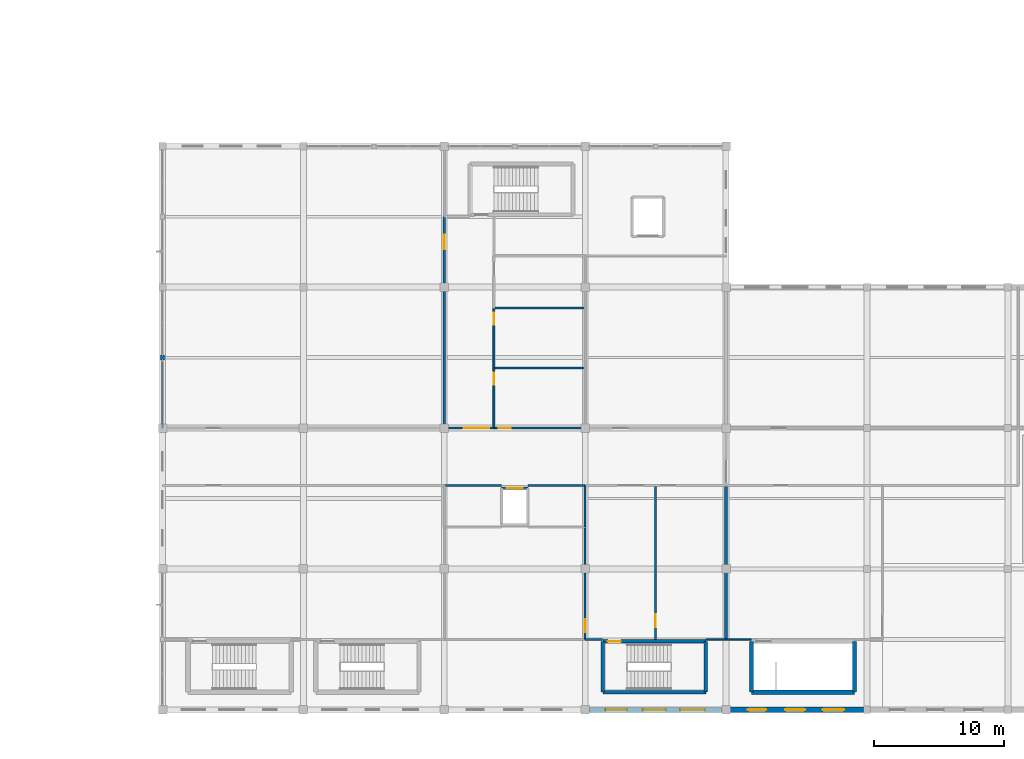
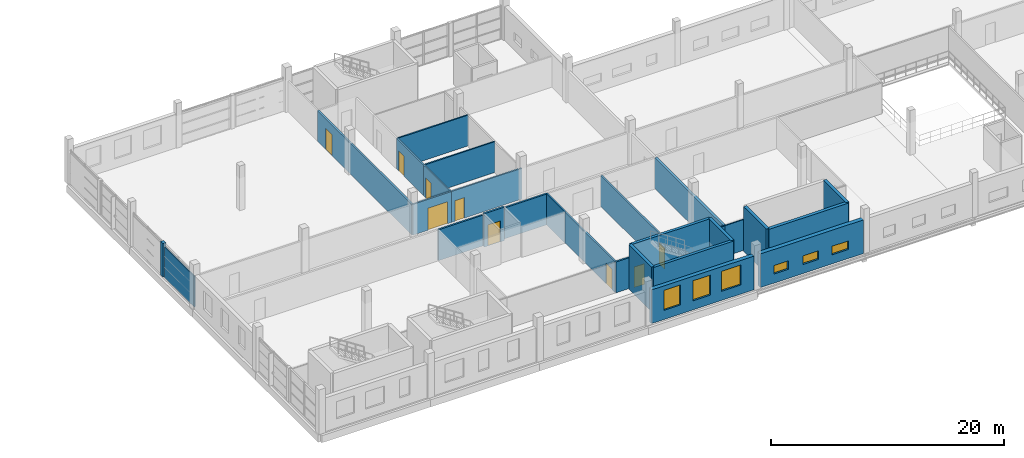
# One storey, part 15 of 24: 28 walls, 9 doors, 6 windows, 15 openings.
"""IFC4 building model written with IfcOpenShell, lengths in metres."""

from ifc_helpers import new_model, si_unit, direction, frame, frame_2d, origin, place, context, subcontext, project, spatial, rectangle, extrude, material, layer, layer_set, type_object, element, fill, save


model = new_model("IFC4")

# Units and contexts
model_context = context("Model", 3, precision=1e-05, world=origin(), true_north=direction((0.0, 1.0)))
body_context = subcontext(model_context, "Body", "Model", "MODEL_VIEW")
ifc_project = project(units=[si_unit("LENGTHUNIT", "METRE"), si_unit("AREAUNIT", "SQUARE_METRE"), si_unit("VOLUMEUNIT", "CUBIC_METRE"), si_unit("PLANEANGLEUNIT", "RADIAN"), si_unit("MASSUNIT", "GRAM", prefix="KILO")], contexts=[model_context])

# Site, building, storey
site_placement = place(None, origin())
site = spatial("IfcSite", under=ifc_project, at=site_placement, CompositionType="ELEMENT")
building_placement = place(site_placement, origin())
building = spatial("IfcBuilding", under=site, at=building_placement, Name="Zwinboog Wholesale Market", CompositionType="ELEMENT")
storey_placement = place(building_placement, frame((0.0, 0.0, 10.080078125)))
storey = spatial("IfcBuildingStorey", under=building, at=storey_placement, Name="L02", CompositionType="ELEMENT", Elevation=10.080078125)

# Wall, openings, windows
ifc_material_1 = material(Name="Precast concrete C45/55", Category="concrete")
ifc_layer_1 = layer(ifc_material_1, 0.389892578125)
ifc_layer_set_1 = layer_set([ifc_layer_1], Name="Precast concrete C45/55")
wall_type_1 = type_object("IfcWallType", Name="WT-EW-390", PredefinedType="STANDARD", material=ifc_layer_set_1)
wall_1_placement = place(storey_placement, frame((162.320068359375, 0.0, 0.0), z_axis=(0.0, 0.0, 1.0), x_axis=(1.0, 0.0, 0.0)))
wall_1 = element("IfcWall", 1, at=wall_1_placement, inside=storey, type_object=wall_type_1, Name="EW-02 (WL-EW-L02-201)", PredefinedType="STANDARD", context=body_context, shape_type="SweptSolid", body=[
    extrude(rectangle(XDim=10.159912109375, YDim=0.389892578125, at=frame_2d((5.080078125, 0.0))), origin(), (0.0, 0.0, 1.0), 3.530029296875),
])
opening_1_placement = place(wall_1_placement, frame((1.22509765625, 0.0, 0.949951171875)))
opening_1 = element("IfcOpeningElement", 2, at=opening_1_placement, cuts=wall_1, Name="Opening WN-70", PredefinedType="OPENING", context=body_context, shape_type="SweptSolid", body=[
    extrude(rectangle(XDim=1.64990234375, YDim=2.10009765625, at=frame_2d((0.824951171875, 1.050048828125))), frame((0.0, 0.204833984375, 0.0), z_axis=(0.0, -1.0, 0.0), x_axis=(1.0, 0.0, 0.0)), (0.0, 0.0, 1.0), 0.409912109375),
])
opening_2_placement = place(wall_1_placement, frame((4.094970703125, 0.0, 0.949951171875)))
opening_2 = element("IfcOpeningElement", 3, at=opening_2_placement, cuts=wall_1, Name="Opening WN-71", PredefinedType="OPENING", context=body_context, shape_type="SweptSolid", body=[
    extrude(rectangle(XDim=1.77001953125, YDim=2.10009765625, at=frame_2d((0.885009765625, 1.050048828125))), frame((0.0, 0.204833984375, 0.0), z_axis=(0.0, -1.0, 0.0), x_axis=(1.0, 0.0, 0.0)), (0.0, 0.0, 1.0), 0.409912109375),
])
opening_3_placement = place(wall_1_placement, frame((6.965087890625, 0.0, 0.949951171875)))
opening_3 = element("IfcOpeningElement", 4, at=opening_3_placement, cuts=wall_1, Name="Opening WN-72", PredefinedType="OPENING", context=body_context, shape_type="SweptSolid", body=[
    extrude(rectangle(XDim=1.889892578125, YDim=2.10009765625, at=frame_2d((0.94482421875, 1.050048828125))), frame((0.0, 0.204833984375, 0.0), z_axis=(0.0, -1.0, 0.0), x_axis=(1.0, 0.0, 0.0)), (0.0, 0.0, 1.0), 0.409912109375),
])
ifc_material_2 = material(Name="Thermally broken aluminium low-e window", Category="aluminium")
window_type_1 = type_object("IfcWindowType", Name="WNT-70", PartitioningType="SINGLE_PANEL", PredefinedType="WINDOW", material=ifc_material_2)
window_1_placement = place(opening_1_placement, frame((1.64990234375, 0.0, 0.0), z_axis=(0.0, 0.0, 1.0), x_axis=(-1.0, 0.0, 0.0)))
window_1 = element("IfcWindow", 5, at=window_1_placement, inside=storey, type_object=window_type_1, Name="WN-70 (WIN-L02-0214)", OverallHeight=2.10009765625, OverallWidth=1.64990234375, PartitioningType="SINGLE_PANEL", PredefinedType="WINDOW", context=body_context, shape_type="SweptSolid", body=[
    extrude(rectangle(XDim=1.64990234375, YDim=2.10009765625, at=frame_2d((0.824951171875, 1.050048828125))), frame((0.0, 0.030029296875, 0.0), z_axis=(0.0, -1.0, 0.0), x_axis=(1.0, 0.0, 0.0)), (0.0, 0.0, 1.0), 0.06005859375),
])
fill(opening_1, window_1)
window_type_2 = type_object("IfcWindowType", Name="WNT-71", PartitioningType="SINGLE_PANEL", PredefinedType="WINDOW", material=ifc_material_2)
window_2_placement = place(opening_2_placement, frame((1.77001953125, 0.0, 0.0), z_axis=(0.0, 0.0, 1.0), x_axis=(-1.0, 0.0, 0.0)))
window_2 = element("IfcWindow", 6, at=window_2_placement, inside=storey, type_object=window_type_2, Name="WN-71 (WIN-L02-0215)", OverallHeight=2.10009765625, OverallWidth=1.77001953125, PartitioningType="SINGLE_PANEL", PredefinedType="WINDOW", context=body_context, shape_type="SweptSolid", body=[
    extrude(rectangle(XDim=1.77001953125, YDim=2.10009765625, at=frame_2d((0.885009765625, 1.050048828125))), frame((0.0, 0.030029296875, 0.0), z_axis=(0.0, -1.0, 0.0), x_axis=(1.0, 0.0, 0.0)), (0.0, 0.0, 1.0), 0.06005859375),
])
fill(opening_2, window_2)
window_type_3 = type_object("IfcWindowType", Name="WNT-72", PartitioningType="SINGLE_PANEL", PredefinedType="WINDOW", material=ifc_material_2)
window_3_placement = place(opening_3_placement, frame((1.889892578125, 0.0, 0.0), z_axis=(0.0, 0.0, 1.0), x_axis=(-1.0, 0.0, 0.0)))
window_3 = element("IfcWindow", 7, at=window_3_placement, inside=storey, type_object=window_type_3, Name="WN-72 (WIN-L02-0216)", OverallHeight=2.10009765625, OverallWidth=1.889892578125, PartitioningType="SINGLE_PANEL", PredefinedType="WINDOW", context=body_context, shape_type="SweptSolid", body=[
    extrude(rectangle(XDim=1.889892578125, YDim=2.10009765625, at=frame_2d((0.94482421875, 1.050048828125))), frame((0.0, 0.030029296875, 0.0), z_axis=(0.0, -1.0, 0.0), x_axis=(1.0, 0.0, 0.0)), (0.0, 0.0, 1.0), 0.06005859375),
])
fill(opening_3, window_3)

ifc_layer_2 = layer(ifc_material_1, 0.409912109375)
ifc_layer_set_2 = layer_set([ifc_layer_2], Name="Precast concrete C45/55")
wall_type_2 = type_object("IfcWallType", Name="WT-EW-410", PredefinedType="STANDARD", material=ifc_layer_set_2)
wall_2_placement = place(storey_placement, frame((173.1201171875, 0.0, 0.0), z_axis=(0.0, 0.0, 1.0), x_axis=(1.0, 0.0, 0.0)))
wall_2 = element("IfcWall", 8, at=wall_2_placement, inside=storey, type_object=wall_type_2, Name="EW-03 (WL-EW-L02-204)", PredefinedType="STANDARD", context=body_context, shape_type="SweptSolid", body=[
    extrude(rectangle(XDim=10.2099609375, YDim=0.409912109375, at=frame_2d((5.10498046875, 0.0))), origin(), (0.0, 0.0, 1.0), 3.530029296875),
])
opening_4_placement = place(wall_2_placement, frame((1.344970703125, 0.0, 0.949951171875)))
opening_4 = element("IfcOpeningElement", 9, at=opening_4_placement, cuts=wall_2, Name="Opening WN-04", PredefinedType="OPENING", context=body_context, shape_type="SweptSolid", body=[
    extrude(rectangle(XDim=1.409912109375, YDim=0.89990234375, at=frame_2d((0.705078125, 0.449951171875))), frame((0.0, 0.21484375, 0.0), z_axis=(0.0, -1.0, 0.0), x_axis=(1.0, 0.0, 0.0)), (0.0, 0.0, 1.0), 0.429931640625),
])
opening_5_placement = place(wall_2_placement, frame((4.215087890625, 0.0, 0.949951171875)))
opening_5 = element("IfcOpeningElement", 10, at=opening_5_placement, cuts=wall_2, Name="Opening WN-05", PredefinedType="OPENING", context=body_context, shape_type="SweptSolid", body=[
    extrude(rectangle(XDim=1.530029296875, YDim=0.89990234375, at=frame_2d((0.76513671875, 0.449951171875))), frame((0.0, 0.21484375, 0.0), z_axis=(0.0, -1.0, 0.0), x_axis=(1.0, 0.0, 0.0)), (0.0, 0.0, 1.0), 0.429931640625),
])
opening_6_placement = place(wall_2_placement, frame((7.0849609375, 0.0, 0.949951171875)))
opening_6 = element("IfcOpeningElement", 11, at=opening_6_placement, cuts=wall_2, Name="Opening WN-06", PredefinedType="OPENING", context=body_context, shape_type="SweptSolid", body=[
    extrude(rectangle(XDim=1.64990234375, YDim=0.89990234375, at=frame_2d((0.824951171875, 0.449951171875))), frame((0.0, 0.21484375, 0.0), z_axis=(0.0, -1.0, 0.0), x_axis=(1.0, 0.0, 0.0)), (0.0, 0.0, 1.0), 0.429931640625),
])
window_type_4 = type_object("IfcWindowType", Name="WNT-04", PartitioningType="SINGLE_PANEL", PredefinedType="WINDOW", material=ifc_material_2)
window_4_placement = place(opening_4_placement, frame((1.409912109375, 0.0, 0.0), z_axis=(0.0, 0.0, 1.0), x_axis=(-1.0, 0.0, 0.0)))
window_4 = element("IfcWindow", 12, at=window_4_placement, inside=storey, type_object=window_type_4, Name="WN-04 (WIN-L02-0220)", OverallHeight=0.89990234375, OverallWidth=1.409912109375, PartitioningType="SINGLE_PANEL", PredefinedType="WINDOW", context=body_context, shape_type="SweptSolid", body=[
    extrude(rectangle(XDim=1.409912109375, YDim=0.89990234375, at=frame_2d((0.705078125, 0.449951171875))), frame((0.0, 0.030029296875, 0.0), z_axis=(0.0, -1.0, 0.0), x_axis=(1.0, 0.0, 0.0)), (0.0, 0.0, 1.0), 0.06005859375),
])
fill(opening_4, window_4)
window_type_5 = type_object("IfcWindowType", Name="WNT-05", PartitioningType="SINGLE_PANEL", PredefinedType="WINDOW", material=ifc_material_2)
window_5_placement = place(opening_5_placement, frame((1.530029296875, 0.0, 0.0), z_axis=(0.0, 0.0, 1.0), x_axis=(-1.0, 0.0, 0.0)))
window_5 = element("IfcWindow", 13, at=window_5_placement, inside=storey, type_object=window_type_5, Name="WN-05 (WIN-L02-0221)", OverallHeight=0.89990234375, OverallWidth=1.530029296875, PartitioningType="SINGLE_PANEL", PredefinedType="WINDOW", context=body_context, shape_type="SweptSolid", body=[
    extrude(rectangle(XDim=1.530029296875, YDim=0.89990234375, at=frame_2d((0.76513671875, 0.449951171875))), frame((0.0, 0.030029296875, 0.0), z_axis=(0.0, -1.0, 0.0), x_axis=(1.0, 0.0, 0.0)), (0.0, 0.0, 1.0), 0.06005859375),
])
fill(opening_5, window_5)
window_type_6 = type_object("IfcWindowType", Name="WNT-06", PartitioningType="SINGLE_PANEL", PredefinedType="WINDOW", material=ifc_material_2)
window_6_placement = place(opening_6_placement, frame((1.64990234375, 0.0, 0.0), z_axis=(0.0, 0.0, 1.0), x_axis=(-1.0, 0.0, 0.0)))
window_6 = element("IfcWindow", 14, at=window_6_placement, inside=storey, type_object=window_type_6, Name="WN-06 (WIN-L02-0222)", OverallHeight=0.89990234375, OverallWidth=1.64990234375, PartitioningType="SINGLE_PANEL", PredefinedType="WINDOW", context=body_context, shape_type="SweptSolid", body=[
    extrude(rectangle(XDim=1.64990234375, YDim=0.89990234375, at=frame_2d((0.824951171875, 0.449951171875))), frame((0.0, 0.030029296875, 0.0), z_axis=(0.0, -1.0, 0.0), x_axis=(1.0, 0.0, 0.0)), (0.0, 0.0, 1.0), 0.06005859375),
])
fill(opening_6, window_6)

# Walls
ifc_layer_3 = layer(ifc_material_1, 0.304931640625)
ifc_layer_set_3 = layer_set([ifc_layer_3], Name="Precast concrete C45/55")
wall_type_3 = type_object("IfcWallType", Name="WT-EW-305", PredefinedType="STANDARD", material=ifc_layer_set_3)
wall_3_placement = place(storey_placement, frame((129.60009765625, 26.800048828125, 0.0), z_axis=(0.0, 0.0, 1.0), x_axis=(0.0, 1.0, 0.0)))
element("IfcWall", 15, at=wall_3_placement, inside=storey, type_object=wall_type_3, Name="EW-07 (WL-PIER-L02-194)", PredefinedType="STANDARD", context=body_context, shape_type="SweptSolid", body=[
    extrude(rectangle(XDim=0.39990234375, YDim=0.304931640625, at=frame_2d((0.199951171875, 0.0))), origin(), (0.0, 0.0, 1.0), 3.530029296875),
])
ifc_material_3 = material(Name="Concrete C40/50", Category="concrete")
ifc_layer_4 = layer(ifc_material_3, 0.280029296875)
ifc_layer_set_4 = layer_set([ifc_layer_4], Name="Concrete C40/50")
wall_type_4 = type_object("IfcWallType", Name="WT-SW-280", PredefinedType="SHEAR", material=ifc_layer_set_4)
wall_4_placement = place(storey_placement, frame((163.35009765625, 1.35009765625, 0.0), z_axis=(0.0, 0.0, 1.0), x_axis=(1.0, 0.0, 0.0)))
element("IfcWall", 16, at=wall_4_placement, inside=storey, type_object=wall_type_4, Name="SW-01 (WL-SW-L02-105)", PredefinedType="SHEAR", context=body_context, shape_type="SweptSolid", body=[
    extrude(rectangle(XDim=7.89990234375, YDim=0.280029296875, at=frame_2d((3.949951171875, 0.0))), origin(), (0.0, 0.0, 1.0), 4.679931640625),
])

# Wall, opening, door
wall_5_placement = place(storey_placement, frame((163.35009765625, 5.25, 0.0), z_axis=(0.0, 0.0, 1.0), x_axis=(1.0, 0.0, 0.0)))
wall_5 = element("IfcWall", 17, at=wall_5_placement, inside=storey, type_object=wall_type_4, Name="SW-01 (WL-SW-L02-106)", PredefinedType="SHEAR", context=body_context, shape_type="SweptSolid", body=[
    extrude(rectangle(XDim=7.89990234375, YDim=0.280029296875, at=frame_2d((3.949951171875, 0.0))), origin(), (0.0, 0.0, 1.0), 4.679931640625),
])
opening_7_placement = place(wall_5_placement, frame((0.3798828125, 0.0, 0.0)))
opening_7 = element("IfcOpeningElement", 18, at=opening_7_placement, cuts=wall_5, Name="Opening FD-0027", PredefinedType="OPENING", context=body_context, shape_type="SweptSolid", body=[
    extrude(rectangle(XDim=1.0, YDim=2.14990234375, at=frame_2d((0.5, 1.074951171875))), frame((0.0, 0.14990234375, 0.0), z_axis=(0.0, -1.0, 0.0), x_axis=(1.0, 0.0, 0.0)), (0.0, 0.0, 1.0), 0.300048828125),
])
ifc_material_4 = material(Name="Timber and powder-coated steel door leaf", Category="steel")
door_type_1 = type_object("IfcDoorType", Name="IDT-FD-01", OperationType="NOTDEFINED", PredefinedType="DOOR", material=ifc_material_4)
door_1_placement = place(opening_7_placement, origin())
door_1 = element("IfcDoor", 19, at=door_1_placement, inside=storey, type_object=door_type_1, Name="Core Fire Door FD-0027", OperationType="SINGLE_SWING_RIGHT", OverallHeight=2.14990234375, OverallWidth=1.0, PredefinedType="DOOR", context=body_context, shape_type="SweptSolid", body=[
    extrude(rectangle(XDim=1.0, YDim=2.14990234375, at=frame_2d((0.5, 1.074951171875))), frame((0.0, 0.02490234375, 0.0), z_axis=(0.0, -1.0, 0.0), x_axis=(1.0, 0.0, 0.0)), (0.0, 0.0, 1.0), 0.050048828125),
])
fill(opening_7, door_1)

# Walls
for number, where, z_axis, x_axis, name in (
    (20, (163.35009765625, 1.35009765625, 0.0), (0.0, 0.0, 1.0), (0.0, 1.0, 0.0), "SW-01 (WL-SW-L02-107)"),
    (21, (171.25, 1.35009765625, 0.0), (0.0, 0.0, 1.0), (0.0, 1.0, 0.0), "SW-01 (WL-SW-L02-108)"),
):
    element("IfcWall", number, at=place(storey_placement, frame(where, z_axis=z_axis, x_axis=x_axis)), inside=storey, type_object=wall_type_4, Name=name, PredefinedType="SHEAR", context=body_context, shape_type="SweptSolid", body=[
        extrude(rectangle(XDim=3.89990234375, YDim=0.280029296875, at=frame_2d((1.949951171875, 0.0))), origin(), (0.0, 0.0, 1.0), 4.679931640625),
    ])
ifc_layer_5 = layer(ifc_material_3, 0.320068359375)
ifc_layer_set_5 = layer_set([ifc_layer_5], Name="Concrete C40/50")
wall_type_5 = type_object("IfcWallType", Name="WT-SW-320", PredefinedType="SHEAR", material=ifc_layer_set_5)
wall_6_placement = place(storey_placement, frame((174.75, 1.35009765625, 0.0), z_axis=(0.0, 0.0, 1.0), x_axis=(1.0, 0.0, 0.0)))
element("IfcWall", 22, at=wall_6_placement, inside=storey, type_object=wall_type_5, Name="SW-03 (WL-SW-L02-077)", PredefinedType="SHEAR", context=body_context, shape_type="SweptSolid", body=[
    extrude(rectangle(XDim=7.89990234375, YDim=0.320068359375, at=frame_2d((3.949951171875, 0.0))), origin(), (0.0, 0.0, 1.0), 4.679931640625),
])
for number, where, z_axis, x_axis, name in (
    (23, (174.75, 1.35009765625, 0.0), (0.0, 0.0, 1.0), (0.0, 1.0, 0.0), "SW-03 (WL-SW-L02-079)"),
    (24, (182.64990234375, 1.35009765625, 0.0), (0.0, 0.0, 1.0), (0.0, 1.0, 0.0), "SW-03 (WL-SW-L02-080)"),
):
    element("IfcWall", number, at=place(storey_placement, frame(where, z_axis=z_axis, x_axis=x_axis)), inside=storey, type_object=wall_type_5, Name=name, PredefinedType="SHEAR", context=body_context, shape_type="SweptSolid", body=[
        extrude(rectangle(XDim=3.89990234375, YDim=0.320068359375, at=frame_2d((1.949951171875, 0.0))), origin(), (0.0, 0.0, 1.0), 4.679931640625),
    ])

# Wall, opening, door
ifc_layer_6 = layer(ifc_material_1, 0.199951171875)
ifc_layer_set_6 = layer_set([ifc_layer_6], Name="Precast concrete C45/55")
wall_type_6 = type_object("IfcWallType", Name="WT-IW-200", PredefinedType="SOLIDWALL", material=ifc_layer_set_6)
wall_7_placement = place(storey_placement, frame((155.60009765625, 17.0, 0.0), z_axis=(0.0, 0.0, 1.0), x_axis=(1.0, 0.0, 0.0)))
wall_7 = element("IfcWall", 25, at=wall_7_placement, inside=storey, type_object=wall_type_6, Name="IW-60 (WL-LSH-L02-222)", PredefinedType="SOLIDWALL", context=body_context, shape_type="SweptSolid", body=[
    extrude(rectangle(XDim=2.0, YDim=0.199951171875, at=frame_2d((1.0, 0.0))), origin(), (0.0, 0.0, 1.0), 3.5),
])
opening_8_placement = place(wall_7_placement, frame((0.389892578125, 0.0, 0.0)))
opening_8 = element("IfcOpeningElement", 26, at=opening_8_placement, cuts=wall_7, Name="Opening LD-014", PredefinedType="OPENING", context=body_context, shape_type="SweptSolid", body=[
    extrude(rectangle(XDim=1.219970703125, YDim=2.199951171875, at=frame_2d((0.60986328125, 1.10009765625))), frame((0.0, 0.10986328125, 0.0), z_axis=(0.0, -1.0, 0.0), x_axis=(1.0, 0.0, 0.0)), (0.0, 0.0, 1.0), 0.219970703125),
])
door_type_2 = type_object("IfcDoorType", Name="IDT-LD-120", OperationType="DOUBLE_DOOR_SLIDING", PredefinedType="DOOR", material=ifc_material_4)
door_2_placement = place(opening_8_placement, origin())
door_2 = element("IfcDoor", 27, at=door_2_placement, inside=storey, type_object=door_type_2, Name="Lift Landing Door LD-014 (LP-06)", OperationType="DOUBLE_DOOR_SLIDING", OverallHeight=2.199951171875, OverallWidth=1.219970703125, PredefinedType="DOOR", context=body_context, shape_type="SweptSolid", body=[
    extrude(rectangle(XDim=1.219970703125, YDim=2.199951171875, at=frame_2d((0.60986328125, 1.10009765625))), frame((0.0, 0.02490234375, 0.0), z_axis=(0.0, -1.0, 0.0), x_axis=(1.0, 0.0, 0.0)), (0.0, 0.0, 1.0), 0.050048828125),
])
fill(opening_8, door_2)

# Walls
ifc_layer_7 = layer(ifc_material_1, 0.235107421875)
ifc_layer_set_7 = layer_set([ifc_layer_7], Name="Precast concrete C45/55")
wall_type_7 = type_object("IfcWallType", Name="WT-IW-235", PredefinedType="PARTITIONING", material=ifc_layer_set_7)
wall_8_placement = place(storey_placement, frame((172.800048828125, 5.39990234375, 0.0), z_axis=(0.0, 0.0, 1.0), x_axis=(0.0, 1.0, 0.0)))
element("IfcWall", 28, at=wall_8_placement, inside=storey, type_object=wall_type_7, Name="IW-03 (WL-IN-L02-0285)", PredefinedType="PARTITIONING", context=body_context, shape_type="SweptSolid", body=[
    extrude(rectangle(XDim=11.800048828125, YDim=0.235107421875, at=frame_2d((5.89990234375, 0.0))), origin(), (0.0, 0.0, 1.0), 3.22998046875),
])
ifc_material_5 = material(Name="Gypsum acoustic stud partition")
ifc_layer_8 = layer(ifc_material_5, 0.10791015625)
ifc_layer_set_8 = layer_set([ifc_layer_8], Name="Gypsum acoustic stud partition")
wall_type_8 = type_object("IfcWallType", Name="WT-PT-108", PredefinedType="PARTITIONING", material=ifc_layer_set_8)
wall_9_placement = place(storey_placement, frame((172.800048828125, 5.39990234375, 0.0), z_axis=(0.0, 0.0, 1.0), x_axis=(1.0, 0.0, 0.0)))
element("IfcWall", 29, at=wall_9_placement, inside=storey, type_object=wall_type_8, Name="PW-01 (WL-IN-L02-0286)", PredefinedType="PARTITIONING", context=body_context, shape_type="SweptSolid", body=[
    extrude(rectangle(XDim=1.929931640625, YDim=0.10791015625, at=frame_2d((0.96484375, 0.0))), origin(), (0.0, 0.0, 1.0), 3.22998046875),
])
ifc_layer_9 = layer(ifc_material_5, 0.1240234375)
ifc_layer_set_9 = layer_set([ifc_layer_9], Name="Gypsum acoustic stud partition")
wall_type_9 = type_object("IfcWallType", Name="WT-PT-124", PredefinedType="PARTITIONING", material=ifc_layer_set_9)
wall_10_placement = place(storey_placement, frame((129.60009765625, 21.60009765625, 0.0), z_axis=(0.0, 0.0, 1.0), x_axis=(0.0, 1.0, 0.0)))
element("IfcWall", 30, at=wall_10_placement, inside=storey, type_object=wall_type_9, Name="PW-02 (WL-IN-L02-0260)", PredefinedType="PARTITIONING", context=body_context, shape_type="SweptSolid", body=[
    extrude(rectangle(XDim=5.04736328125, YDim=0.1240234375, at=frame_2d((2.523681640625, 0.0))), origin(), (0.0, 0.0, 1.0), 3.22998046875),
])
wall_11_placement = place(storey_placement, frame((171.27001953125, 5.39990234375, 0.0), z_axis=(0.0, 0.0, 1.0), x_axis=(1.0, 0.0, 0.0)))
element("IfcWall", 31, at=wall_11_placement, inside=storey, type_object=wall_type_9, Name="PW-02 (WL-IN-L02-0284)", PredefinedType="PARTITIONING", context=body_context, shape_type="SweptSolid", body=[
    extrude(rectangle(XDim=1.530029296875, YDim=0.1240234375, at=frame_2d((0.76513671875, 0.0))), origin(), (0.0, 0.0, 1.0), 3.22998046875),
])

# Wall, opening, door
ifc_material_6 = material(Name="Hygienic washable stud partition")
ifc_layer_10 = layer(ifc_material_6, 0.137939453125)
ifc_layer_set_10 = layer_set([ifc_layer_10], Name="Hygienic washable stud partition")
wall_type_10 = type_object("IfcWallType", Name="WT-PT-138", PredefinedType="PARTITIONING", material=ifc_layer_set_10)
wall_12_placement = place(storey_placement, frame((155.0, 21.60009765625, 0.0), z_axis=(0.0, 0.0, 1.0), x_axis=(1.0, 0.0, 0.0)))
wall_12 = element("IfcWall", 32, at=wall_12_placement, inside=storey, type_object=wall_type_10, Name="PW-03 (WL-IN-L02-0242)", PredefinedType="PARTITIONING", context=body_context, shape_type="SweptSolid", body=[
    extrude(rectangle(XDim=7.0, YDim=0.137939453125, at=frame_2d((3.5, 0.0))), origin(), (0.0, 0.0, 1.0), 3.22998046875),
])
opening_9_placement = place(wall_12_placement, frame((0.3798828125, 0.0, 0.0)))
opening_9 = element("IfcOpeningElement", 33, at=opening_9_placement, cuts=wall_12, Name="Opening D-0080", PredefinedType="OPENING", context=body_context, shape_type="SweptSolid", body=[
    extrude(rectangle(XDim=0.919921875, YDim=2.139892578125, at=frame_2d((0.4599609375, 1.06982421875))), frame((0.0, 0.078857421875, 0.0), z_axis=(0.0, -1.0, 0.0), x_axis=(1.0, 0.0, 0.0)), (0.0, 0.0, 1.0), 0.157958984375),
])
door_type_3 = type_object("IfcDoorType", Name="IDT-WC-02", OperationType="NOTDEFINED", PredefinedType="DOOR", material=ifc_material_4)
door_3_placement = place(opening_9_placement, origin())
door_3 = element("IfcDoor", 34, at=door_3_placement, inside=storey, type_object=door_type_3, Name="Interior Door D-0080", OperationType="SINGLE_SWING_LEFT", OverallHeight=2.139892578125, OverallWidth=0.919921875, PredefinedType="DOOR", context=body_context, shape_type="SweptSolid", body=[
    extrude(rectangle(XDim=0.919921875, YDim=2.139892578125, at=frame_2d((0.4599609375, 1.06982421875))), frame((0.0, 0.02490234375, 0.0), z_axis=(0.0, -1.0, 0.0), x_axis=(1.0, 0.0, 0.0)), (0.0, 0.0, 1.0), 0.050048828125),
])
fill(opening_9, door_3)

wall_13_placement = place(storey_placement, frame((155.0, 21.60009765625, 0.0), z_axis=(0.0, 0.0, 1.0), x_axis=(0.0, 1.0, 0.0)))
wall_13 = element("IfcWall", 35, at=wall_13_placement, inside=storey, type_object=wall_type_10, Name="PW-03 (WL-IN-L02-0243)", PredefinedType="PARTITIONING", context=body_context, shape_type="SweptSolid", body=[
    extrude(rectangle(XDim=4.599853515625, YDim=0.137939453125, at=frame_2d((2.2998046875, 0.0))), origin(), (0.0, 0.0, 1.0), 3.22998046875),
])
opening_10_placement = place(wall_13_placement, frame((3.322021484375, 0.0, 0.0)))
opening_10 = element("IfcOpeningElement", 36, at=opening_10_placement, cuts=wall_13, Name="Opening D-0081", PredefinedType="OPENING", context=body_context, shape_type="SweptSolid", body=[
    extrude(rectangle(XDim=0.89990234375, YDim=2.10009765625, at=frame_2d((0.449951171875, 1.050048828125))), frame((0.0, 0.078857421875, 0.0), z_axis=(0.0, -1.0, 0.0), x_axis=(1.0, 0.0, 0.0)), (0.0, 0.0, 1.0), 0.157958984375),
])
door_type_4 = type_object("IfcDoorType", Name="IDT-WC-01", OperationType="NOTDEFINED", PredefinedType="DOOR", material=ifc_material_4)
door_4_placement = place(opening_10_placement, frame((0.89990234375, 0.0, 0.0), z_axis=(0.0, 0.0, 1.0), x_axis=(-1.0, 0.0, 0.0)))
door_4 = element("IfcDoor", 37, at=door_4_placement, inside=storey, type_object=door_type_4, Name="Interior Door D-0081", OperationType="SINGLE_SWING_RIGHT", OverallHeight=2.10009765625, OverallWidth=0.89990234375, PredefinedType="DOOR", context=body_context, shape_type="SweptSolid", body=[
    extrude(rectangle(XDim=0.89990234375, YDim=2.10009765625, at=frame_2d((0.449951171875, 1.050048828125))), frame((0.0, 0.02490234375, 0.0), z_axis=(0.0, -1.0, 0.0), x_axis=(1.0, 0.0, 0.0)), (0.0, 0.0, 1.0), 0.050048828125),
])
fill(opening_10, door_4)

wall_14_placement = place(storey_placement, frame((155.0, 26.199951171875, 0.0), z_axis=(0.0, 0.0, 1.0), x_axis=(0.0, 1.0, 0.0)))
wall_14 = element("IfcWall", 38, at=wall_14_placement, inside=storey, type_object=wall_type_10, Name="PW-03 (WL-IN-L02-0244)", PredefinedType="PARTITIONING", context=body_context, shape_type="SweptSolid", body=[
    extrude(rectangle(XDim=4.60009765625, YDim=0.137939453125, at=frame_2d((2.300048828125, 0.0))), origin(), (0.0, 0.0, 1.0), 3.22998046875),
])
opening_11_placement = place(wall_14_placement, frame((3.31201171875, 0.0, 0.0)))
opening_11 = element("IfcOpeningElement", 39, at=opening_11_placement, cuts=wall_14, Name="Opening D-0082", PredefinedType="OPENING", context=body_context, shape_type="SweptSolid", body=[
    extrude(rectangle(XDim=0.919921875, YDim=2.139892578125, at=frame_2d((0.4599609375, 1.06982421875))), frame((0.0, 0.078857421875, 0.0), z_axis=(0.0, -1.0, 0.0), x_axis=(1.0, 0.0, 0.0)), (0.0, 0.0, 1.0), 0.157958984375),
])
door_5_placement = place(opening_11_placement, origin())
door_5 = element("IfcDoor", 40, at=door_5_placement, inside=storey, type_object=door_type_3, Name="Interior Door D-0082", OperationType="SINGLE_SWING_LEFT", OverallHeight=2.139892578125, OverallWidth=0.919921875, PredefinedType="DOOR", context=body_context, shape_type="SweptSolid", body=[
    extrude(rectangle(XDim=0.919921875, YDim=2.139892578125, at=frame_2d((0.4599609375, 1.06982421875))), frame((0.0, 0.02490234375, 0.0), z_axis=(0.0, -1.0, 0.0), x_axis=(1.0, 0.0, 0.0)), (0.0, 0.0, 1.0), 0.050048828125),
])
fill(opening_11, door_5)

# Walls
for number, where, z_axis, x_axis, name in (
    (41, (155.0, 26.199951171875, 0.0), (0.0, 0.0, 1.0), (1.0, 0.0, 0.0), "PW-03 (WL-IN-L02-0274)"),
    (42, (155.0, 30.800048828125, 0.0), (0.0, 0.0, 1.0), (1.0, 0.0, 0.0), "PW-03 (WL-IN-L02-0275)"),
):
    element("IfcWall", number, at=place(storey_placement, frame(where, z_axis=z_axis, x_axis=x_axis)), inside=storey, type_object=wall_type_10, Name=name, PredefinedType="PARTITIONING", context=body_context, shape_type="SweptSolid", body=[
        extrude(rectangle(XDim=7.0, YDim=0.137939453125, at=frame_2d((3.5, 0.0))), origin(), (0.0, 0.0, 1.0), 3.22998046875),
    ])

# Wall, opening, door
ifc_material_7 = material(Name="Fire-rated corridor stud partition")
ifc_layer_11 = layer(ifc_material_7, 0.154052734375)
ifc_layer_set_11 = layer_set([ifc_layer_11], Name="Fire-rated corridor stud partition")
wall_type_11 = type_object("IfcWallType", Name="WT-PT-154", PredefinedType="PARTITIONING", material=ifc_layer_set_11)
wall_15_placement = place(storey_placement, frame((151.199951171875, 21.60009765625, 0.0), z_axis=(0.0, 0.0, 1.0), x_axis=(1.0, 0.0, 0.0)))
wall_15 = element("IfcWall", 43, at=wall_15_placement, inside=storey, type_object=wall_type_11, Name="PW-04 (WL-IN-L02-0239)", PredefinedType="PARTITIONING", context=body_context, shape_type="SweptSolid", body=[
    extrude(rectangle(XDim=3.800048828125, YDim=0.154052734375, at=frame_2d((1.89990234375, 0.0))), origin(), (0.0, 0.0, 1.0), 3.22998046875),
])
opening_12_placement = place(wall_15_placement, frame((1.489990234375, 0.0, 0.0)))
opening_12 = element("IfcOpeningElement", 44, at=opening_12_placement, cuts=wall_15, Name="Opening IDF-0077", PredefinedType="OPENING", context=body_context, shape_type="SweptSolid", body=[
    extrude(rectangle(XDim=1.9599609375, YDim=2.300048828125, at=frame_2d((0.97998046875, 1.14990234375))), frame((0.0, 0.0869140625, 0.0), z_axis=(0.0, -1.0, 0.0), x_axis=(1.0, 0.0, 0.0)), (0.0, 0.0, 1.0), 0.174072265625),
])
door_type_5 = type_object("IfcDoorType", Name="IDT-FD-05", OperationType="DOUBLE_DOOR_SINGLE_SWING", PredefinedType="DOOR", material=ifc_material_4)
door_6_placement = place(opening_12_placement, origin())
door_6 = element("IfcDoor", 45, at=door_6_placement, inside=storey, type_object=door_type_5, Name="Interior Door IDF-0077", OperationType="DOUBLE_DOOR_SINGLE_SWING", OverallHeight=2.300048828125, OverallWidth=1.9599609375, PredefinedType="DOOR", context=body_context, shape_type="SweptSolid", body=[
    extrude(rectangle(XDim=1.9599609375, YDim=2.300048828125, at=frame_2d((0.97998046875, 1.14990234375))), frame((0.0, 0.02490234375, 0.0), z_axis=(0.0, -1.0, 0.0), x_axis=(1.0, 0.0, 0.0)), (0.0, 0.0, 1.0), 0.050048828125),
])
fill(opening_12, door_6)

wall_16_placement = place(storey_placement, frame((162.0, 5.39990234375, 0.0), z_axis=(0.0, 0.0, 1.0), x_axis=(0.0, 1.0, 0.0)))
wall_16 = element("IfcWall", 46, at=wall_16_placement, inside=storey, type_object=wall_type_11, Name="PW-04 (WL-IN-L02-0249)", PredefinedType="PARTITIONING", context=body_context, shape_type="SweptSolid", body=[
    extrude(rectangle(XDim=8.60009765625, YDim=0.154052734375, at=frame_2d((4.300048828125, 0.0))), origin(), (0.0, 0.0, 1.0), 3.22998046875),
])
opening_13_placement = place(wall_16_placement, frame((0.531982421875, 0.0, 0.0)))
opening_13 = element("IfcOpeningElement", 47, at=opening_13_placement, cuts=wall_16, Name="Opening IDF-0087", PredefinedType="OPENING", context=body_context, shape_type="SweptSolid", body=[
    extrude(rectangle(XDim=1.0, YDim=2.14990234375, at=frame_2d((0.5, 1.074951171875))), frame((0.0, 0.0869140625, 0.0), z_axis=(0.0, -1.0, 0.0), x_axis=(1.0, 0.0, 0.0)), (0.0, 0.0, 1.0), 0.174072265625),
])
door_7_placement = place(opening_13_placement, frame((1.0, 0.0, 0.0), z_axis=(0.0, 0.0, 1.0), x_axis=(-1.0, 0.0, 0.0)))
door_7 = element("IfcDoor", 48, at=door_7_placement, inside=storey, type_object=door_type_1, Name="Interior Door IDF-0087", OperationType="SINGLE_SWING_RIGHT", OverallHeight=2.14990234375, OverallWidth=1.0, PredefinedType="DOOR", context=body_context, shape_type="SweptSolid", body=[
    extrude(rectangle(XDim=1.0, YDim=2.14990234375, at=frame_2d((0.5, 1.074951171875))), frame((0.0, 0.02490234375, 0.0), z_axis=(0.0, -1.0, 0.0), x_axis=(1.0, 0.0, 0.0)), (0.0, 0.0, 1.0), 0.050048828125),
])
fill(opening_13, door_7)

wall_17_placement = place(storey_placement, frame((167.39990234375, 5.39990234375, 0.0), z_axis=(0.0, 0.0, 1.0), x_axis=(0.0, 1.0, 0.0)))
wall_17 = element("IfcWall", 49, at=wall_17_placement, inside=storey, type_object=wall_type_11, Name="PW-04 (WL-IN-L02-0251)", PredefinedType="PARTITIONING", context=body_context, shape_type="SweptSolid", body=[
    extrude(rectangle(XDim=11.800048828125, YDim=0.154052734375, at=frame_2d((5.89990234375, 0.0))), origin(), (0.0, 0.0, 1.0), 3.22998046875),
])
opening_14_placement = place(wall_17_placement, frame((0.916015625, 0.0, 0.0)))
opening_14 = element("IfcOpeningElement", 50, at=opening_14_placement, cuts=wall_17, Name="Opening IDF-0089", PredefinedType="OPENING", context=body_context, shape_type="SweptSolid", body=[
    extrude(rectangle(XDim=1.0, YDim=2.14990234375, at=frame_2d((0.5, 1.074951171875))), frame((0.0, 0.0869140625, 0.0), z_axis=(0.0, -1.0, 0.0), x_axis=(1.0, 0.0, 0.0)), (0.0, 0.0, 1.0), 0.174072265625),
])
door_8_placement = place(opening_14_placement, origin())
door_8 = element("IfcDoor", 51, at=door_8_placement, inside=storey, type_object=door_type_1, Name="Interior Door IDF-0089", OperationType="SINGLE_SWING_RIGHT", OverallHeight=2.14990234375, OverallWidth=1.0, PredefinedType="DOOR", context=body_context, shape_type="SweptSolid", body=[
    extrude(rectangle(XDim=1.0, YDim=2.14990234375, at=frame_2d((0.5, 1.074951171875))), frame((0.0, 0.02490234375, 0.0), z_axis=(0.0, -1.0, 0.0), x_axis=(1.0, 0.0, 0.0)), (0.0, 0.0, 1.0), 0.050048828125),
])
fill(opening_14, door_8)

# Wall
wall_18_placement = place(storey_placement, frame((162.0, 14.0, 0.0), z_axis=(0.0, 0.0, 1.0), x_axis=(0.0, 1.0, 0.0)))
element("IfcWall", 52, at=wall_18_placement, inside=storey, type_object=wall_type_11, Name="PW-04 (WL-IN-L02-0279)", PredefinedType="PARTITIONING", context=body_context, shape_type="SweptSolid", body=[
    extrude(rectangle(XDim=3.199951171875, YDim=0.154052734375, at=frame_2d((1.60009765625, 0.0))), origin(), (0.0, 0.0, 1.0), 3.22998046875),
])

# Wall, opening, door
ifc_material_8 = material(Name="Laboratory acoustic partition")
ifc_layer_12 = layer(ifc_material_8, 0.16796875)
ifc_layer_set_12 = layer_set([ifc_layer_12], Name="Laboratory acoustic partition")
wall_type_12 = type_object("IfcWallType", Name="WT-PT-168", PredefinedType="PARTITIONING", material=ifc_layer_set_12)
wall_19_placement = place(storey_placement, frame((151.199951171875, 21.60009765625, 0.0), z_axis=(0.0, 0.0, 1.0), x_axis=(0.0, 1.0, 0.0)))
wall_19 = element("IfcWall", 53, at=wall_19_placement, inside=storey, type_object=wall_type_12, Name="PW-05 (WL-IN-L02-0248)", PredefinedType="PARTITIONING", context=body_context, shape_type="SweptSolid", body=[
    extrude(rectangle(XDim=16.199951171875, YDim=0.16796875, at=frame_2d((8.10009765625, 0.0))), origin(), (0.0, 0.0, 1.0), 3.22998046875),
])
opening_15_placement = place(wall_19_placement, frame((13.7060546875, 0.0, 0.0)))
opening_15 = element("IfcOpeningElement", 54, at=opening_15_placement, cuts=wall_19, Name="Opening IDF-0086", PredefinedType="OPENING", context=body_context, shape_type="SweptSolid", body=[
    extrude(rectangle(XDim=1.10009765625, YDim=2.199951171875, at=frame_2d((0.550048828125, 1.10009765625))), frame((0.0, 0.093994140625, 0.0), z_axis=(0.0, -1.0, 0.0), x_axis=(1.0, 0.0, 0.0)), (0.0, 0.0, 1.0), 0.18798828125),
])
door_type_6 = type_object("IfcDoorType", Name="IDT-FD-02", OperationType="NOTDEFINED", PredefinedType="DOOR", material=ifc_material_4)
door_9_placement = place(opening_15_placement, origin())
door_9 = element("IfcDoor", 55, at=door_9_placement, inside=storey, type_object=door_type_6, Name="Interior Door IDF-0086", OperationType="SINGLE_SWING_LEFT", OverallHeight=2.199951171875, OverallWidth=1.10009765625, PredefinedType="DOOR", context=body_context, shape_type="SweptSolid", body=[
    extrude(rectangle(XDim=1.10009765625, YDim=2.199951171875, at=frame_2d((0.550048828125, 1.10009765625))), frame((0.0, 0.02490234375, 0.0), z_axis=(0.0, -1.0, 0.0), x_axis=(1.0, 0.0, 0.0)), (0.0, 0.0, 1.0), 0.050048828125),
])
fill(opening_15, door_9)

# Walls
wall_20_placement = place(storey_placement, frame((151.199951171875, 17.199951171875, 0.0), z_axis=(0.0, 0.0, 1.0), x_axis=(1.0, 0.0, 0.0)))
element("IfcWall", 56, at=wall_20_placement, inside=storey, type_object=wall_type_12, Name="PW-05 (WL-IN-L02-0270)", PredefinedType="PARTITIONING", context=body_context, shape_type="SweptSolid", body=[
    extrude(rectangle(XDim=4.380126953125, YDim=0.16796875, at=frame_2d((2.18994140625, 0.0))), origin(), (0.0, 0.0, 1.0), 3.22998046875),
])
wall_21_placement = place(storey_placement, frame((157.6201171875, 17.199951171875, 0.0), z_axis=(0.0, 0.0, 1.0), x_axis=(1.0, 0.0, 0.0)))
element("IfcWall", 57, at=wall_21_placement, inside=storey, type_object=wall_type_12, Name="PW-05 (WL-IN-L02-0271)", PredefinedType="PARTITIONING", context=body_context, shape_type="SweptSolid", body=[
    extrude(rectangle(XDim=4.3798828125, YDim=0.16796875, at=frame_2d((2.18994140625, 0.0))), origin(), (0.0, 0.0, 1.0), 3.22998046875),
])
wall_22_placement = place(storey_placement, frame((162.0, 5.39990234375, 0.0), z_axis=(0.0, 0.0, 1.0), x_axis=(1.0, 0.0, 0.0)))
element("IfcWall", 58, at=wall_22_placement, inside=storey, type_object=wall_type_12, Name="PW-05 (WL-IN-L02-0278)", PredefinedType="PARTITIONING", context=body_context, shape_type="SweptSolid", body=[
    extrude(rectangle(XDim=1.330078125, YDim=0.16796875, at=frame_2d((0.6650390625, 0.0))), origin(), (0.0, 0.0, 1.0), 3.22998046875),
])

save(model, "model.ifc")
